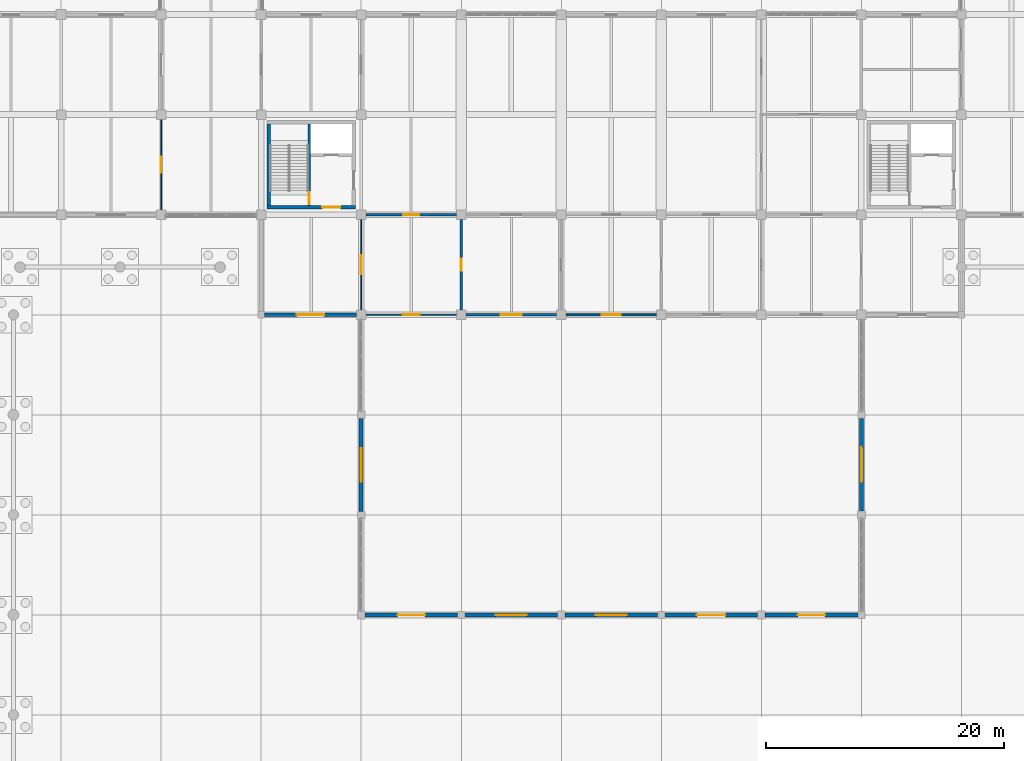
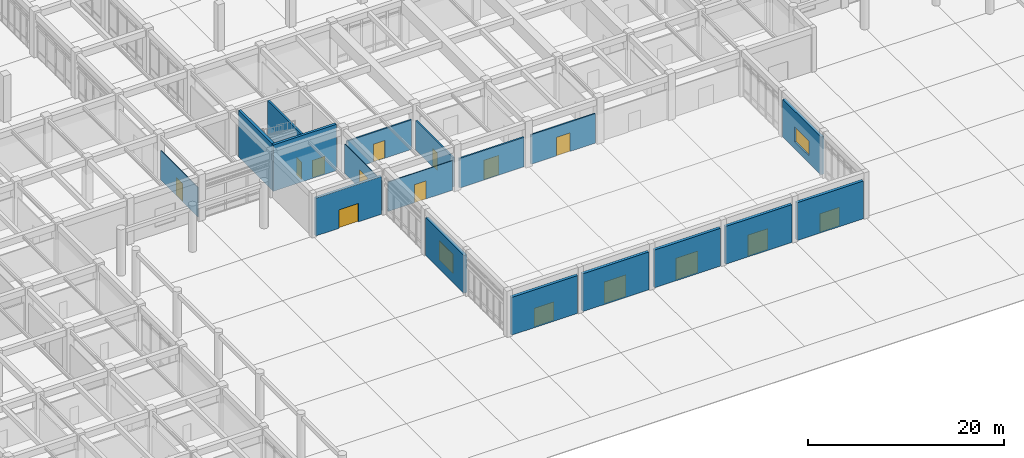
# One storey, part 68 of 91: 18 walls, 15 doors, 2 windows, 17 openings.
"""IFC4 building model written with IfcOpenShell, lengths in metres."""

from ifc_helpers import new_model, si_unit, direction, frame, frame_2d, origin, place, context, subcontext, project, spatial, rectangle, extrude, material, layer, layer_set, type_object, element, fill, save


model = new_model("IFC4")

# Units and contexts
model_context = context("Model", 3, precision=1e-05, world=origin(), true_north=direction((0.0, 1.0)))
body_context = subcontext(model_context, "Body", "Model", "MODEL_VIEW")
ifc_project = project(units=[si_unit("LENGTHUNIT", "METRE"), si_unit("AREAUNIT", "SQUARE_METRE"), si_unit("VOLUMEUNIT", "CUBIC_METRE"), si_unit("PLANEANGLEUNIT", "RADIAN"), si_unit("MASSUNIT", "GRAM", prefix="KILO")], contexts=[model_context])

# Site, building, storey
site_placement = place(None, origin())
site = spatial("IfcSite", under=ifc_project, at=site_placement, CompositionType="ELEMENT")
building_placement = place(site_placement, origin())
building = spatial("IfcBuilding", under=site, at=building_placement, Name="Porcellanite Civic Hall", CompositionType="ELEMENT")
storey_placement = place(building_placement, origin())
storey = spatial("IfcBuildingStorey", under=building, at=storey_placement, Name="L00", CompositionType="ELEMENT", Elevation=0.0)

# Wall, opening, door
ifc_material_1 = material(Name="Concrete N40 (40 MPa)", Category="concrete")
ifc_layer_1 = layer(ifc_material_1, 0.239990234375)
ifc_layer_set_1 = layer_set([ifc_layer_1], Name="Concrete N40 (40 MPa)")
wall_type_1 = type_object("IfcWallType", Name="CW-SH240", PredefinedType="SHEAR", material=ifc_layer_set_1)
wall_1_placement = place(storey_placement, frame((62.840087890625, 51.179931640625, 0.0), z_axis=(0.0, 0.0, 1.0), x_axis=(0.0, 1.0, 0.0)))
wall_1 = element("IfcWall", 1, at=wall_1_placement, inside=storey, type_object=wall_type_1, Name="Core divider C5 L00", PredefinedType="SHEAR", context=body_context, shape_type="SweptSolid", body=[
    extrude(rectangle(XDim=6.840087890625, YDim=0.239990234375, at=frame_2d((3.419921875, 0.0))), origin(), (0.0, 0.0, 1.0), 5.760009765625),
])
opening_1_placement = place(wall_1_placement, frame((0.1201171875, 0.0, 0.0)))
opening_1 = element("IfcOpeningElement", 2, at=opening_1_placement, cuts=wall_1, Name="Opening FD-C5-L00-ST", PredefinedType="OPENING", context=body_context, shape_type="SweptSolid", body=[
    extrude(rectangle(XDim=1.0, YDim=2.14990234375, at=frame_2d((0.5, 1.074951171875))), frame((0.0, 0.1201171875, 0.0), z_axis=(0.0, -1.0, 0.0), x_axis=(1.0, 0.0, 0.0)), (0.0, 0.0, 1.0), 0.239990234375),
])
ifc_material_2 = material(Name="Fire-rated solid-core hardwood timber", Category="wood")
door_type_1 = type_object("IfcDoorType", Name="DR-FD100", OperationType="NOTDEFINED", PredefinedType="DOOR", material=ifc_material_2)
door_1_placement = place(opening_1_placement, origin())
door_1 = element("IfcDoor", 3, at=door_1_placement, inside=storey, type_object=door_type_1, Name="Fire stair door FD-C5-L00-ST", OperationType="SINGLE_SWING_RIGHT", OverallHeight=2.14990234375, OverallWidth=1.0, PredefinedType="DOOR", context=body_context, shape_type="SweptSolid", body=[
    extrude(rectangle(XDim=1.0, YDim=2.14990234375, at=frame_2d((0.5, 1.074951171875))), frame((0.0, 0.02490234375, 0.0), z_axis=(0.0, -1.0, 0.0), x_axis=(1.0, 0.0, 0.0)), (0.0, 0.0, 1.0), 0.050048828125),
])
fill(opening_1, door_1)

ifc_material_3 = material(Name="Concrete N40 (40 MPa)", Category="concrete")
ifc_layer_2 = layer(ifc_material_3, 0.300048828125)
ifc_layer_set_2 = layer_set([ifc_layer_2], Name="Concrete N40 (40 MPa)")
wall_type_2 = type_object("IfcWallType", Name="CW-SH300", PredefinedType="SHEAR", material=ifc_layer_set_2)
wall_2_placement = place(storey_placement, frame((66.719970703125, 51.030029296875, 0.0), z_axis=(0.0, 0.0, 1.0), x_axis=(-1.0, 0.0, 0.0)))
wall_2 = element("IfcWall", 4, at=wall_2_placement, inside=storey, type_object=wall_type_2, Name="Core wall C5 L00 S", PredefinedType="SHEAR", context=body_context, shape_type="SweptSolid", body=[
    extrude(rectangle(XDim=7.43994140625, YDim=0.300048828125, at=frame_2d((3.719970703125, 0.0))), origin(), (0.0, 0.0, 1.0), 5.760009765625),
])
opening_2_placement = place(wall_2_placement, frame((1.280029296875, 0.0, 0.0)))
opening_2 = element("IfcOpeningElement", 5, at=opening_2_placement, cuts=wall_2, Name="Opening FD-C5-L00-LS", PredefinedType="OPENING", context=body_context, shape_type="SweptSolid", body=[
    extrude(rectangle(XDim=1.5, YDim=2.14990234375, at=frame_2d((0.75, 1.074951171875))), frame((0.0, 0.14990234375, 0.0), z_axis=(0.0, -1.0, 0.0), x_axis=(1.0, 0.0, 0.0)), (0.0, 0.0, 1.0), 0.300048828125),
])
ifc_material_4 = material(Name="Fire-rated steel and Georgian wired glass", Category="steel")
door_type_2 = type_object("IfcDoorType", Name="DR-FD150", OperationType="DOUBLE_DOOR_SINGLE_SWING", PredefinedType="DOOR", material=ifc_material_4)
door_2_placement = place(opening_2_placement, origin())
door_2 = element("IfcDoor", 6, at=door_2_placement, inside=storey, type_object=door_type_2, Name="Fire lobby south door FD-C5-L00-LS", OperationType="DOUBLE_DOOR_SINGLE_SWING", OverallHeight=2.14990234375, OverallWidth=1.5, PredefinedType="DOOR", context=body_context, shape_type="SweptSolid", body=[
    extrude(rectangle(XDim=1.5, YDim=2.14990234375, at=frame_2d((0.75, 1.074951171875))), frame((0.0, 0.02490234375, 0.0), z_axis=(0.0, -1.0, 0.0), x_axis=(1.0, 0.0, 0.0)), (0.0, 0.0, 1.0), 0.050048828125),
])
fill(opening_2, door_2)

# Wall
wall_3_placement = place(storey_placement, frame((59.429931640625, 51.179931640625, 0.0), z_axis=(0.0, 0.0, 1.0), x_axis=(0.0, 1.0, 0.0)))
element("IfcWall", 7, at=wall_3_placement, inside=storey, type_object=wall_type_2, Name="Core wall C5 L00 W", PredefinedType="SHEAR", context=body_context, shape_type="SweptSolid", body=[
    extrude(rectangle(XDim=6.840087890625, YDim=0.300048828125, at=frame_2d((3.419921875, 0.0))), origin(), (0.0, 0.0, 1.0), 5.760009765625),
])

# Wall, opening, door
ifc_material_5 = material(Name="Precast concrete N40 (40 MPa)", Category="concrete")
ifc_layer_3 = layer(ifc_material_5, 0.280029296875)
ifc_layer_set_3 = layer_set([ifc_layer_3], Name="Precast concrete N40 (40 MPa)")
wall_type_3 = type_object("IfcWallType", Name="EW-CLO280", PredefinedType="SOLIDWALL", material=ifc_layer_set_3)
wall_4_placement = place(storey_placement, frame((66.799072265625, 42.0, 0.0), z_axis=(0.0, 0.0, 1.0), x_axis=(-1.0, 0.0, 0.0)))
wall_4 = element("IfcWall", 8, at=wall_4_placement, inside=storey, type_object=wall_type_3, Name="Exterior wall L00 S 8-6", PredefinedType="SOLIDWALL", context=body_context, shape_type="SweptSolid", body=[
    extrude(rectangle(XDim=7.72314453125, YDim=0.280029296875, at=frame_2d((3.861572265625, 0.0))), origin(), (0.0, 0.0, 1.0), 4.699951171875),
])
opening_3_placement = place(wall_4_placement, frame((2.7119140625, 0.0, 0.0)))
opening_3 = element("IfcOpeningElement", 9, at=opening_3_placement, cuts=wall_4, Name="Opening ED-06", PredefinedType="OPENING", context=body_context, shape_type="SweptSolid", body=[
    extrude(rectangle(XDim=2.300048828125, YDim=2.300048828125, at=frame_2d((1.14990234375, 1.14990234375))), frame((0.0, 0.14013671875, 0.0), z_axis=(0.0, -1.0, 0.0), x_axis=(1.0, 0.0, 0.0)), (0.0, 0.0, 1.0), 0.280029296875),
])
ifc_material_6 = material(Name="Anodised aluminium and laminated safety glass", Category="aluminium")
door_type_3 = type_object("IfcDoorType", Name="DR-EXIT210", OperationType="DOUBLE_DOOR_SINGLE_SWING", PredefinedType="DOOR", material=ifc_material_6)
door_3_placement = place(opening_3_placement, origin())
door_3 = element("IfcDoor", 10, at=door_3_placement, inside=storey, type_object=door_type_3, Name="Pedestrian final exit door ED-06", OperationType="DOUBLE_DOOR_SINGLE_SWING", OverallHeight=2.300048828125, OverallWidth=2.300048828125, PredefinedType="DOOR", context=body_context, shape_type="SweptSolid", body=[
    extrude(rectangle(XDim=2.300048828125, YDim=2.300048828125, at=frame_2d((1.14990234375, 1.14990234375))), frame((0.0, 0.02490234375, 0.0), z_axis=(0.0, -1.0, 0.0), x_axis=(1.0, 0.0, 0.0)), (0.0, 0.0, 1.0), 0.050048828125),
])
fill(opening_3, door_3)

ifc_material_7 = material(Name="Precast concrete N40 (40 MPa)", Category="concrete")
ifc_layer_4 = layer(ifc_material_7, 0.340087890625)
ifc_layer_set_4 = layer_set([ifc_layer_4], Name="Precast concrete N40 (40 MPa)")
wall_type_4 = type_object("IfcWallType", Name="EW-HALL340", PredefinedType="SOLIDWALL", material=ifc_layer_set_4)
wall_5_placement = place(storey_placement, frame((75.299072265625, 16.800048828125, 0.0), z_axis=(0.0, 0.0, 1.0), x_axis=(-1.0, 0.0, 0.0)))
wall_5 = element("IfcWall", 11, at=wall_5_placement, inside=storey, type_object=wall_type_4, Name="Exterior wall L00 S 9-3", PredefinedType="SOLIDWALL", context=body_context, shape_type="SweptSolid", body=[
    extrude(rectangle(XDim=7.773193359375, YDim=0.340087890625, at=frame_2d((3.88671875, 0.0))), origin(), (0.0, 0.0, 1.0), 4.699951171875),
])
opening_4_placement = place(wall_5_placement, frame((2.736083984375, 0.0, 0.0)))
opening_4 = element("IfcOpeningElement", 12, at=opening_4_placement, cuts=wall_5, Name="Opening ED-04", PredefinedType="OPENING", context=body_context, shape_type="SweptSolid", body=[
    extrude(rectangle(XDim=2.300048828125, YDim=2.300048828125, at=frame_2d((1.14990234375, 1.14990234375))), frame((0.0, 0.169921875, 0.0), z_axis=(0.0, -1.0, 0.0), x_axis=(1.0, 0.0, 0.0)), (0.0, 0.0, 1.0), 0.340087890625),
])
door_4_placement = place(opening_4_placement, origin())
door_4 = element("IfcDoor", 13, at=door_4_placement, inside=storey, type_object=door_type_3, Name="Pedestrian final exit door ED-04", OperationType="DOUBLE_DOOR_SINGLE_SWING", OverallHeight=2.300048828125, OverallWidth=2.300048828125, PredefinedType="DOOR", context=body_context, shape_type="SweptSolid", body=[
    extrude(rectangle(XDim=2.300048828125, YDim=2.300048828125, at=frame_2d((1.14990234375, 1.14990234375))), frame((0.0, 0.02490234375, 0.0), z_axis=(0.0, -1.0, 0.0), x_axis=(1.0, 0.0, 0.0)), (0.0, 0.0, 1.0), 0.050048828125),
])
fill(opening_4, door_4)

# Wall, opening, window
wall_6_placement = place(storey_placement, frame((67.199951171875, 25.5009765625, 0.0), z_axis=(0.0, 0.0, 1.0), x_axis=(0.0, 1.0, 0.0)))
wall_6 = element("IfcWall", 14, at=wall_6_placement, inside=storey, type_object=wall_type_4, Name="Exterior wall L00 W 9-4", PredefinedType="SOLIDWALL", context=body_context, shape_type="SweptSolid", body=[
    extrude(rectangle(XDim=7.77294921875, YDim=0.340087890625, at=frame_2d((3.886474609375, 0.0))), origin(), (0.0, 0.0, 1.0), 4.699951171875),
])
opening_5_placement = place(wall_6_placement, frame((2.486083984375, 0.0, 0.89990234375)))
opening_5 = element("IfcOpeningElement", 15, at=opening_5_placement, cuts=wall_6, Name="Opening W22", PredefinedType="OPENING", context=body_context, shape_type="SweptSolid", body=[
    extrude(rectangle(XDim=2.800048828125, YDim=2.39990234375, at=frame_2d((1.39990234375, 1.199951171875))), frame((0.0, 0.169921875, 0.0), z_axis=(0.0, -1.0, 0.0), x_axis=(1.0, 0.0, 0.0)), (0.0, 0.0, 1.0), 0.340087890625),
])
ifc_material_8 = material(Name="Cyclone laminated low-E glazing in anodised aluminium frame", Category="aluminium")
window_type_1 = type_object("IfcWindowType", Name="WN-22", PartitioningType="TRIPLE_PANEL_VERTICAL", PredefinedType="WINDOW", material=ifc_material_8)
window_1_placement = place(opening_5_placement, origin())
window_1 = element("IfcWindow", 16, at=window_1_placement, inside=storey, type_object=window_type_1, Name="Window W22 L00 W 9-4", OverallHeight=2.39990234375, OverallWidth=2.800048828125, PartitioningType="SINGLE_PANEL", PredefinedType="WINDOW", context=body_context, shape_type="SweptSolid", body=[
    extrude(rectangle(XDim=2.800048828125, YDim=2.39990234375, at=frame_2d((1.39990234375, 1.199951171875))), frame((0.0, 0.030029296875, 0.0), z_axis=(0.0, -1.0, 0.0), x_axis=(1.0, 0.0, 0.0)), (0.0, 0.0, 1.0), 0.06005859375),
])
fill(opening_5, window_1)

# Wall, opening, door
wall_7_placement = place(storey_placement, frame((83.674072265625, 16.800048828125, 0.0), z_axis=(0.0, 0.0, 1.0), x_axis=(-1.0, 0.0, 0.0)))
wall_7 = element("IfcWall", 17, at=wall_7_placement, inside=storey, type_object=wall_type_4, Name="Exterior wall L00 S 10-3", PredefinedType="SOLIDWALL", context=body_context, shape_type="SweptSolid", body=[
    extrude(rectangle(XDim=7.773193359375, YDim=0.340087890625, at=frame_2d((3.88671875, 0.0))), origin(), (0.0, 0.0, 1.0), 4.699951171875),
])
opening_6_placement = place(wall_7_placement, frame((2.5869140625, 0.0, 0.0)))
opening_6 = element("IfcOpeningElement", 18, at=opening_6_placement, cuts=wall_7, Name="Opening ED-01", PredefinedType="OPENING", context=body_context, shape_type="SweptSolid", body=[
    extrude(rectangle(XDim=2.60009765625, YDim=2.699951171875, at=frame_2d((1.300048828125, 1.35009765625))), frame((0.0, 0.169921875, 0.0), z_axis=(0.0, -1.0, 0.0), x_axis=(1.0, 0.0, 0.0)), (0.0, 0.0, 1.0), 0.340087890625),
])
ifc_material_9 = material(Name="Anodised aluminium and laminated safety glass", Category="aluminium")
door_type_4 = type_object("IfcDoorType", Name="DR-PORT240", OperationType="DOUBLE_DOOR_SINGLE_SWING", PredefinedType="DOOR", material=ifc_material_9)
door_5_placement = place(opening_6_placement, origin())
door_5 = element("IfcDoor", 19, at=door_5_placement, inside=storey, type_object=door_type_4, Name="Pedestrian final exit door ED-01", OperationType="DOUBLE_DOOR_SINGLE_SWING", OverallHeight=2.699951171875, OverallWidth=2.60009765625, PredefinedType="DOOR", context=body_context, shape_type="SweptSolid", body=[
    extrude(rectangle(XDim=2.60009765625, YDim=2.699951171875, at=frame_2d((1.300048828125, 1.35009765625))), frame((0.0, 0.02490234375, 0.0), z_axis=(0.0, -1.0, 0.0), x_axis=(1.0, 0.0, 0.0)), (0.0, 0.0, 1.0), 0.050048828125),
])
fill(opening_6, door_5)

wall_8_placement = place(storey_placement, frame((92.09912109375, 16.800048828125, 0.0), z_axis=(0.0, 0.0, 1.0), x_axis=(-1.0, 0.0, 0.0)))
wall_8 = element("IfcWall", 20, at=wall_8_placement, inside=storey, type_object=wall_type_4, Name="Exterior wall L00 S 11-3", PredefinedType="SOLIDWALL", context=body_context, shape_type="SweptSolid", body=[
    extrude(rectangle(XDim=7.773193359375, YDim=0.340087890625, at=frame_2d((3.88671875, 0.0))), origin(), (0.0, 0.0, 1.0), 4.699951171875),
])
opening_7_placement = place(wall_8_placement, frame((2.5869140625, 0.0, 0.0)))
opening_7 = element("IfcOpeningElement", 21, at=opening_7_placement, cuts=wall_8, Name="Opening ED-02", PredefinedType="OPENING", context=body_context, shape_type="SweptSolid", body=[
    extrude(rectangle(XDim=2.60009765625, YDim=2.699951171875, at=frame_2d((1.300048828125, 1.35009765625))), frame((0.0, 0.169921875, 0.0), z_axis=(0.0, -1.0, 0.0), x_axis=(1.0, 0.0, 0.0)), (0.0, 0.0, 1.0), 0.340087890625),
])
door_6_placement = place(opening_7_placement, origin())
door_6 = element("IfcDoor", 22, at=door_6_placement, inside=storey, type_object=door_type_4, Name="Pedestrian final exit door ED-02", OperationType="DOUBLE_DOOR_SINGLE_SWING", OverallHeight=2.699951171875, OverallWidth=2.60009765625, PredefinedType="DOOR", context=body_context, shape_type="SweptSolid", body=[
    extrude(rectangle(XDim=2.60009765625, YDim=2.699951171875, at=frame_2d((1.300048828125, 1.35009765625))), frame((0.0, 0.02490234375, 0.0), z_axis=(0.0, -1.0, 0.0), x_axis=(1.0, 0.0, 0.0)), (0.0, 0.0, 1.0), 0.050048828125),
])
fill(opening_7, door_6)

wall_9_placement = place(storey_placement, frame((100.47412109375, 16.800048828125, 0.0), z_axis=(0.0, 0.0, 1.0), x_axis=(-1.0, 0.0, 0.0)))
wall_9 = element("IfcWall", 23, at=wall_9_placement, inside=storey, type_object=wall_type_4, Name="Exterior wall L00 S 12-3", PredefinedType="SOLIDWALL", context=body_context, shape_type="SweptSolid", body=[
    extrude(rectangle(XDim=7.773193359375, YDim=0.340087890625, at=frame_2d((3.88671875, 0.0))), origin(), (0.0, 0.0, 1.0), 4.699951171875),
])
opening_8_placement = place(wall_9_placement, frame((2.68603515625, 0.0, 0.0)))
opening_8 = element("IfcOpeningElement", 24, at=opening_8_placement, cuts=wall_9, Name="Opening ED-03", PredefinedType="OPENING", context=body_context, shape_type="SweptSolid", body=[
    extrude(rectangle(XDim=2.39990234375, YDim=2.60009765625, at=frame_2d((1.199951171875, 1.300048828125))), frame((0.0, 0.169921875, 0.0), z_axis=(0.0, -1.0, 0.0), x_axis=(1.0, 0.0, 0.0)), (0.0, 0.0, 1.0), 0.340087890625),
])
ifc_material_10 = material(Name="Anodised aluminium and laminated safety glass", Category="aluminium")
door_type_5 = type_object("IfcDoorType", Name="DR-PORT220", OperationType="DOUBLE_DOOR_SINGLE_SWING", PredefinedType="DOOR", material=ifc_material_10)
door_7_placement = place(opening_8_placement, origin())
door_7 = element("IfcDoor", 25, at=door_7_placement, inside=storey, type_object=door_type_5, Name="Pedestrian final exit door ED-03", OperationType="DOUBLE_DOOR_SINGLE_SWING", OverallHeight=2.60009765625, OverallWidth=2.39990234375, PredefinedType="DOOR", context=body_context, shape_type="SweptSolid", body=[
    extrude(rectangle(XDim=2.39990234375, YDim=2.60009765625, at=frame_2d((1.199951171875, 1.300048828125))), frame((0.0, 0.02490234375, 0.0), z_axis=(0.0, -1.0, 0.0), x_axis=(1.0, 0.0, 0.0)), (0.0, 0.0, 1.0), 0.050048828125),
])
fill(opening_8, door_7)

wall_10_placement = place(storey_placement, frame((108.89892578125, 16.800048828125, 0.0), z_axis=(0.0, 0.0, 1.0), x_axis=(-1.0, 0.0, 0.0)))
wall_10 = element("IfcWall", 26, at=wall_10_placement, inside=storey, type_object=wall_type_4, Name="Exterior wall L00 S 13-3", PredefinedType="SOLIDWALL", context=body_context, shape_type="SweptSolid", body=[
    extrude(rectangle(XDim=7.77294921875, YDim=0.340087890625, at=frame_2d((3.886474609375, 0.0))), origin(), (0.0, 0.0, 1.0), 4.699951171875),
])
opening_9_placement = place(wall_10_placement, frame((2.736083984375, 0.0, 0.0)))
opening_9 = element("IfcOpeningElement", 27, at=opening_9_placement, cuts=wall_10, Name="Opening ED-05", PredefinedType="OPENING", context=body_context, shape_type="SweptSolid", body=[
    extrude(rectangle(XDim=2.300048828125, YDim=2.300048828125, at=frame_2d((1.14990234375, 1.14990234375))), frame((0.0, 0.169921875, 0.0), z_axis=(0.0, -1.0, 0.0), x_axis=(1.0, 0.0, 0.0)), (0.0, 0.0, 1.0), 0.340087890625),
])
door_8_placement = place(opening_9_placement, origin())
door_8 = element("IfcDoor", 28, at=door_8_placement, inside=storey, type_object=door_type_3, Name="Pedestrian final exit door ED-05", OperationType="DOUBLE_DOOR_SINGLE_SWING", OverallHeight=2.300048828125, OverallWidth=2.300048828125, PredefinedType="DOOR", context=body_context, shape_type="SweptSolid", body=[
    extrude(rectangle(XDim=2.300048828125, YDim=2.300048828125, at=frame_2d((1.14990234375, 1.14990234375))), frame((0.0, 0.02490234375, 0.0), z_axis=(0.0, -1.0, 0.0), x_axis=(1.0, 0.0, 0.0)), (0.0, 0.0, 1.0), 0.050048828125),
])
fill(opening_9, door_8)

# Wall, opening, window
wall_11_placement = place(storey_placement, frame((109.199951171875, 33.299072265625, 0.0), z_axis=(0.0, 0.0, 1.0), x_axis=(0.0, -1.0, 0.0)))
wall_11 = element("IfcWall", 29, at=wall_11_placement, inside=storey, type_object=wall_type_4, Name="Exterior wall L00 E 13-4", PredefinedType="SOLIDWALL", context=body_context, shape_type="SweptSolid", body=[
    extrude(rectangle(XDim=7.773193359375, YDim=0.340087890625, at=frame_2d((3.88671875, 0.0))), origin(), (0.0, 0.0, 1.0), 4.699951171875),
])
opening_10_placement = place(wall_11_placement, frame((2.43603515625, 0.0, 0.89990234375)))
opening_10 = element("IfcOpeningElement", 30, at=opening_10_placement, cuts=wall_11, Name="Opening W29", PredefinedType="OPENING", context=body_context, shape_type="SweptSolid", body=[
    extrude(rectangle(XDim=2.89990234375, YDim=1.85009765625, at=frame_2d((1.449951171875, 0.925048828125))), frame((0.0, 0.169921875, 0.0), z_axis=(0.0, -1.0, 0.0), x_axis=(1.0, 0.0, 0.0)), (0.0, 0.0, 1.0), 0.340087890625),
])
ifc_material_11 = material(Name="Cyclone laminated low-E glazing in anodised aluminium frame", Category="aluminium")
window_type_2 = type_object("IfcWindowType", Name="WN-29", PartitioningType="TRIPLE_PANEL_VERTICAL", PredefinedType="WINDOW", material=ifc_material_11)
window_2_placement = place(opening_10_placement, origin())
window_2 = element("IfcWindow", 31, at=window_2_placement, inside=storey, type_object=window_type_2, Name="Window W29 L00 E 13-4", OverallHeight=1.85009765625, OverallWidth=2.89990234375, PartitioningType="SINGLE_PANEL", PredefinedType="WINDOW", context=body_context, shape_type="SweptSolid", body=[
    extrude(rectangle(XDim=2.89990234375, YDim=1.85009765625, at=frame_2d((1.449951171875, 0.925048828125))), frame((0.0, 0.030029296875, 0.0), z_axis=(0.0, -1.0, 0.0), x_axis=(1.0, 0.0, 0.0)), (0.0, 0.0, 1.0), 0.06005859375),
])
fill(opening_10, window_2)

# Wall, opening, door
ifc_material_12 = material(Name="Insulated acoustic plasterboard on light-gauge steel studs", Category="steel")
ifc_layer_5 = layer(ifc_material_12, 0.087890625)
ifc_layer_set_5 = layer_set([ifc_layer_5], Name="Insulated acoustic plasterboard on light-gauge steel studs")
wall_type_5 = type_object("IfcWallType", Name="IW-PT088", PredefinedType="PARTITIONING", material=ifc_layer_set_5)
wall_12_placement = place(storey_placement, frame((67.199951171875, 42.402099609375, 0.0), z_axis=(0.0, 0.0, 1.0), x_axis=(0.0, 1.0, 0.0)))
wall_12 = element("IfcWall", 32, at=wall_12_placement, inside=storey, type_object=wall_type_5, Name="Partition L00 V 8-6", PredefinedType="PARTITIONING", context=body_context, shape_type="SweptSolid", body=[
    extrude(rectangle(XDim=7.595947265625, YDim=0.087890625, at=frame_2d((3.7978515625, 0.0))), origin(), (0.0, 0.0, 1.0), 3.659912109375),
])
opening_11_placement = place(wall_12_placement, frame((2.998046875, 0.0, 0.0)))
opening_11 = element("IfcOpeningElement", 33, at=opening_11_placement, cuts=wall_12, Name="Opening D-L00-079", PredefinedType="OPENING", context=body_context, shape_type="SweptSolid", body=[
    extrude(rectangle(XDim=1.60009765625, YDim=2.300048828125, at=frame_2d((0.800048828125, 1.14990234375))), frame((0.0, 0.0439453125, 0.0), z_axis=(0.0, -1.0, 0.0), x_axis=(1.0, 0.0, 0.0)), (0.0, 0.0, 1.0), 0.087890625),
])
ifc_material_13 = material(Name="Acoustic spotted-gum timber and safety glass", Category="wood")
door_type_6 = type_object("IfcDoorType", Name="DR-AS160", OperationType="DOUBLE_DOOR_SINGLE_SWING", PredefinedType="DOOR", material=ifc_material_13)
door_9_placement = place(opening_11_placement, origin())
door_9 = element("IfcDoor", 34, at=door_9_placement, inside=storey, type_object=door_type_6, Name="Interior door D-L00-079", OperationType="DOUBLE_DOOR_SINGLE_SWING", OverallHeight=2.300048828125, OverallWidth=1.60009765625, PredefinedType="DOOR", context=body_context, shape_type="SweptSolid", body=[
    extrude(rectangle(XDim=1.60009765625, YDim=2.300048828125, at=frame_2d((0.800048828125, 1.14990234375))), frame((0.0, 0.02490234375, 0.0), z_axis=(0.0, -1.0, 0.0), x_axis=(1.0, 0.0, 0.0)), (0.0, 0.0, 1.0), 0.050048828125),
])
fill(opening_11, door_9)

ifc_material_14 = material(Name="Insulated acoustic plasterboard on light-gauge steel studs", Category="steel")
ifc_layer_6 = layer(ifc_material_14, 0.094970703125)
ifc_layer_set_6 = layer_set([ifc_layer_6], Name="Insulated acoustic plasterboard on light-gauge steel studs")
wall_type_6 = type_object("IfcWallType", Name="IW-PT095", PredefinedType="PARTITIONING", material=ifc_layer_set_6)
wall_13_placement = place(storey_placement, frame((50.39990234375, 50.802001953125, 0.0), z_axis=(0.0, 0.0, 1.0), x_axis=(0.0, 1.0, 0.0)))
wall_13 = element("IfcWall", 35, at=wall_13_placement, inside=storey, type_object=wall_type_6, Name="Partition L00 V 6-7", PredefinedType="PARTITIONING", context=body_context, shape_type="SweptSolid", body=[
    extrude(rectangle(XDim=7.595947265625, YDim=0.094970703125, at=frame_2d((3.7978515625, 0.0))), origin(), (0.0, 0.0, 1.0), 3.659912109375),
])
opening_12_placement = place(wall_13_placement, frame((3.123046875, 0.0, 0.0)))
opening_12 = element("IfcOpeningElement", 36, at=opening_12_placement, cuts=wall_13, Name="Opening D-L00-076", PredefinedType="OPENING", context=body_context, shape_type="SweptSolid", body=[
    extrude(rectangle(XDim=1.35009765625, YDim=2.199951171875, at=frame_2d((0.675048828125, 1.10009765625))), frame((0.0, 0.04736328125, 0.0), z_axis=(0.0, -1.0, 0.0), x_axis=(1.0, 0.0, 0.0)), (0.0, 0.0, 1.0), 0.094970703125),
])
ifc_material_15 = material(Name="Acoustic spotted-gum timber and safety glass", Category="wood")
door_type_7 = type_object("IfcDoorType", Name="DR-AS135", OperationType="DOUBLE_DOOR_SINGLE_SWING", PredefinedType="DOOR", material=ifc_material_15)
door_10_placement = place(opening_12_placement, origin())
door_10 = element("IfcDoor", 37, at=door_10_placement, inside=storey, type_object=door_type_7, Name="Interior door D-L00-076", OperationType="DOUBLE_DOOR_SINGLE_SWING", OverallHeight=2.199951171875, OverallWidth=1.35009765625, PredefinedType="DOOR", context=body_context, shape_type="SweptSolid", body=[
    extrude(rectangle(XDim=1.35009765625, YDim=2.199951171875, at=frame_2d((0.675048828125, 1.10009765625))), frame((0.0, 0.02490234375, 0.0), z_axis=(0.0, -1.0, 0.0), x_axis=(1.0, 0.0, 0.0)), (0.0, 0.0, 1.0), 0.050048828125),
])
fill(opening_12, door_10)

ifc_material_16 = material(Name="Insulated acoustic plasterboard on light-gauge steel studs", Category="steel")
ifc_layer_7 = layer(ifc_material_16, 0.10498046875)
ifc_layer_set_7 = layer_set([ifc_layer_7], Name="Insulated acoustic plasterboard on light-gauge steel studs")
wall_type_7 = type_object("IfcWallType", Name="IW-PT105", PredefinedType="PARTITIONING", material=ifc_layer_set_7)
wall_14_placement = place(storey_placement, frame((67.60205078125, 42.0, 0.0), z_axis=(0.0, 0.0, 1.0), x_axis=(1.0, 0.0, 0.0)))
wall_14 = element("IfcWall", 38, at=wall_14_placement, inside=storey, type_object=wall_type_7, Name="Partition L00 H 9-5", PredefinedType="PARTITIONING", context=body_context, shape_type="SweptSolid", body=[
    extrude(rectangle(XDim=7.595947265625, YDim=0.10498046875, at=frame_2d((3.7978515625, 0.0))), origin(), (0.0, 0.0, 1.0), 3.659912109375),
])
opening_13_placement = place(wall_14_placement, frame((3.097900390625, 0.0, 0.0)))
opening_13 = element("IfcOpeningElement", 39, at=opening_13_placement, cuts=wall_14, Name="Opening D-L00-047", PredefinedType="OPENING", context=body_context, shape_type="SweptSolid", body=[
    extrude(rectangle(XDim=1.39990234375, YDim=2.25, at=frame_2d((0.699951171875, 1.125))), frame((0.0, 0.052490234375, 0.0), z_axis=(0.0, -1.0, 0.0), x_axis=(1.0, 0.0, 0.0)), (0.0, 0.0, 1.0), 0.10498046875),
])
ifc_material_17 = material(Name="Acoustic spotted-gum timber and safety glass", Category="wood")
door_type_8 = type_object("IfcDoorType", Name="DR-AS140", OperationType="DOUBLE_DOOR_SINGLE_SWING", PredefinedType="DOOR", material=ifc_material_17)
door_11_placement = place(opening_13_placement, origin())
door_11 = element("IfcDoor", 40, at=door_11_placement, inside=storey, type_object=door_type_8, Name="Interior door D-L00-047", OperationType="DOUBLE_DOOR_SINGLE_SWING", OverallHeight=2.25, OverallWidth=1.39990234375, PredefinedType="DOOR", context=body_context, shape_type="SweptSolid", body=[
    extrude(rectangle(XDim=1.39990234375, YDim=2.25, at=frame_2d((0.699951171875, 1.125))), frame((0.0, 0.02490234375, 0.0), z_axis=(0.0, -1.0, 0.0), x_axis=(1.0, 0.0, 0.0)), (0.0, 0.0, 1.0), 0.050048828125),
])
fill(opening_13, door_11)

ifc_material_18 = material(Name="Insulated acoustic plasterboard on light-gauge steel studs", Category="steel")
ifc_layer_8 = layer(ifc_material_18, 0.1650390625)
ifc_layer_set_8 = layer_set([ifc_layer_8], Name="Insulated acoustic plasterboard on light-gauge steel studs")
wall_type_8 = type_object("IfcWallType", Name="IW-PT165", PredefinedType="PARTITIONING", material=ifc_layer_set_8)
wall_15_placement = place(storey_placement, frame((84.402099609375, 42.0, 0.0), z_axis=(0.0, 0.0, 1.0), x_axis=(1.0, 0.0, 0.0)))
wall_15 = element("IfcWall", 41, at=wall_15_placement, inside=storey, type_object=wall_type_8, Name="Partition L00 H 11-5", PredefinedType="PARTITIONING", context=body_context, shape_type="SweptSolid", body=[
    extrude(rectangle(XDim=7.595947265625, YDim=0.1650390625, at=frame_2d((3.7978515625, 0.0))), origin(), (0.0, 0.0, 1.0), 3.659912109375),
])
opening_14_placement = place(wall_15_placement, frame((2.998046875, 0.0, 0.0)))
opening_14 = element("IfcOpeningElement", 42, at=opening_14_placement, cuts=wall_15, Name="Opening D-L00-051", PredefinedType="OPENING", context=body_context, shape_type="SweptSolid", body=[
    extrude(rectangle(XDim=1.60009765625, YDim=2.300048828125, at=frame_2d((0.800048828125, 1.14990234375))), frame((0.0, 0.08251953125, 0.0), z_axis=(0.0, -1.0, 0.0), x_axis=(1.0, 0.0, 0.0)), (0.0, 0.0, 1.0), 0.1650390625),
])
door_12_placement = place(opening_14_placement, origin())
door_12 = element("IfcDoor", 43, at=door_12_placement, inside=storey, type_object=door_type_6, Name="Interior door D-L00-051", OperationType="DOUBLE_DOOR_SINGLE_SWING", OverallHeight=2.300048828125, OverallWidth=1.60009765625, PredefinedType="DOOR", context=body_context, shape_type="SweptSolid", body=[
    extrude(rectangle(XDim=1.60009765625, YDim=2.300048828125, at=frame_2d((0.800048828125, 1.14990234375))), frame((0.0, 0.02490234375, 0.0), z_axis=(0.0, -1.0, 0.0), x_axis=(1.0, 0.0, 0.0)), (0.0, 0.0, 1.0), 0.050048828125),
])
fill(opening_14, door_12)

ifc_material_19 = material(Name="Insulated acoustic plasterboard on light-gauge steel studs", Category="steel")
ifc_layer_9 = layer(ifc_material_19, 0.175048828125)
ifc_layer_set_9 = layer_set([ifc_layer_9], Name="Insulated acoustic plasterboard on light-gauge steel studs")
wall_type_9 = type_object("IfcWallType", Name="IW-PT175", PredefinedType="PARTITIONING", material=ifc_layer_set_9)
wall_16_placement = place(storey_placement, frame((67.60205078125, 50.39990234375, 0.0), z_axis=(0.0, 0.0, 1.0), x_axis=(1.0, 0.0, 0.0)))
wall_16 = element("IfcWall", 44, at=wall_16_placement, inside=storey, type_object=wall_type_9, Name="Partition L00 H 9-6", PredefinedType="PARTITIONING", context=body_context, shape_type="SweptSolid", body=[
    extrude(rectangle(XDim=7.595947265625, YDim=0.175048828125, at=frame_2d((3.7978515625, 0.0))), origin(), (0.0, 0.0, 1.0), 3.659912109375),
])
opening_15_placement = place(wall_16_placement, frame((3.123046875, 0.0, 0.0)))
opening_15 = element("IfcOpeningElement", 45, at=opening_15_placement, cuts=wall_16, Name="Opening D-L00-048", PredefinedType="OPENING", context=body_context, shape_type="SweptSolid", body=[
    extrude(rectangle(XDim=1.35009765625, YDim=2.199951171875, at=frame_2d((0.675048828125, 1.10009765625))), frame((0.0, 0.08740234375, 0.0), z_axis=(0.0, -1.0, 0.0), x_axis=(1.0, 0.0, 0.0)), (0.0, 0.0, 1.0), 0.175048828125),
])
door_13_placement = place(opening_15_placement, origin())
door_13 = element("IfcDoor", 46, at=door_13_placement, inside=storey, type_object=door_type_7, Name="Interior door D-L00-048", OperationType="DOUBLE_DOOR_SINGLE_SWING", OverallHeight=2.199951171875, OverallWidth=1.35009765625, PredefinedType="DOOR", context=body_context, shape_type="SweptSolid", body=[
    extrude(rectangle(XDim=1.35009765625, YDim=2.199951171875, at=frame_2d((0.675048828125, 1.10009765625))), frame((0.0, 0.02490234375, 0.0), z_axis=(0.0, -1.0, 0.0), x_axis=(1.0, 0.0, 0.0)), (0.0, 0.0, 1.0), 0.050048828125),
])
fill(opening_15, door_13)

wall_17_placement = place(storey_placement, frame((75.60009765625, 42.402099609375, 0.0), z_axis=(0.0, 0.0, 1.0), x_axis=(0.0, 1.0, 0.0)))
wall_17 = element("IfcWall", 47, at=wall_17_placement, inside=storey, type_object=wall_type_9, Name="Partition L00 V 9-6", PredefinedType="PARTITIONING", context=body_context, shape_type="SweptSolid", body=[
    extrude(rectangle(XDim=7.595947265625, YDim=0.175048828125, at=frame_2d((3.7978515625, 0.0))), origin(), (0.0, 0.0, 1.0), 3.659912109375),
])
opening_16_placement = place(wall_17_placement, frame((3.30810546875, 0.0, 0.0)))
opening_16 = element("IfcOpeningElement", 48, at=opening_16_placement, cuts=wall_17, Name="Opening D-L00-135", PredefinedType="OPENING", context=body_context, shape_type="SweptSolid", body=[
    extrude(rectangle(XDim=0.97998046875, YDim=2.179931640625, at=frame_2d((0.489990234375, 1.08984375))), frame((0.0, 0.08740234375, 0.0), z_axis=(0.0, -1.0, 0.0), x_axis=(1.0, 0.0, 0.0)), (0.0, 0.0, 1.0), 0.175048828125),
])
ifc_material_20 = material(Name="Solid-core spotted-gum timber", Category="wood")
door_type_9 = type_object("IfcDoorType", Name="DR-RM098", OperationType="NOTDEFINED", PredefinedType="DOOR", material=ifc_material_20)
door_14_placement = place(opening_16_placement, origin())
door_14 = element("IfcDoor", 49, at=door_14_placement, inside=storey, type_object=door_type_9, Name="Interior door D-L00-135", OperationType="SINGLE_SWING_LEFT", OverallHeight=2.179931640625, OverallWidth=0.97998046875, PredefinedType="DOOR", context=body_context, shape_type="SweptSolid", body=[
    extrude(rectangle(XDim=0.97998046875, YDim=2.179931640625, at=frame_2d((0.489990234375, 1.08984375))), frame((0.0, 0.02490234375, 0.0), z_axis=(0.0, -1.0, 0.0), x_axis=(1.0, 0.0, 0.0)), (0.0, 0.0, 1.0), 0.050048828125),
])
fill(opening_16, door_14)

ifc_material_21 = material(Name="Insulated acoustic plasterboard on light-gauge steel studs", Category="steel")
ifc_layer_10 = layer(ifc_material_21, 0.195068359375)
ifc_layer_set_10 = layer_set([ifc_layer_10], Name="Insulated acoustic plasterboard on light-gauge steel studs")
wall_type_10 = type_object("IfcWallType", Name="IW-PT195", PredefinedType="PARTITIONING", material=ifc_layer_set_10)
wall_18_placement = place(storey_placement, frame((76.001953125, 42.0, 0.0), z_axis=(0.0, 0.0, 1.0), x_axis=(1.0, 0.0, 0.0)))
wall_18 = element("IfcWall", 50, at=wall_18_placement, inside=storey, type_object=wall_type_10, Name="Partition L00 H 10-5", PredefinedType="PARTITIONING", context=body_context, shape_type="SweptSolid", body=[
    extrude(rectangle(XDim=7.595947265625, YDim=0.195068359375, at=frame_2d((3.7978515625, 0.0))), origin(), (0.0, 0.0, 1.0), 3.659912109375),
])
opening_17_placement = place(wall_18_placement, frame((2.89794921875, 0.0, 0.0)))
opening_17 = element("IfcOpeningElement", 51, at=opening_17_placement, cuts=wall_18, Name="Opening D-L00-049", PredefinedType="OPENING", context=body_context, shape_type="SweptSolid", body=[
    extrude(rectangle(XDim=1.800048828125, YDim=2.39990234375, at=frame_2d((0.89990234375, 1.199951171875))), frame((0.0, 0.09765625, 0.0), z_axis=(0.0, -1.0, 0.0), x_axis=(1.0, 0.0, 0.0)), (0.0, 0.0, 1.0), 0.195068359375),
])
ifc_material_22 = material(Name="Acoustic spotted-gum timber and safety glass", Category="wood")
door_type_10 = type_object("IfcDoorType", Name="DR-AS180", OperationType="DOUBLE_DOOR_SINGLE_SWING", PredefinedType="DOOR", material=ifc_material_22)
door_15_placement = place(opening_17_placement, origin())
door_15 = element("IfcDoor", 52, at=door_15_placement, inside=storey, type_object=door_type_10, Name="Interior door D-L00-049", OperationType="DOUBLE_DOOR_SINGLE_SWING", OverallHeight=2.39990234375, OverallWidth=1.800048828125, PredefinedType="DOOR", context=body_context, shape_type="SweptSolid", body=[
    extrude(rectangle(XDim=1.800048828125, YDim=2.39990234375, at=frame_2d((0.89990234375, 1.199951171875))), frame((0.0, 0.02490234375, 0.0), z_axis=(0.0, -1.0, 0.0), x_axis=(1.0, 0.0, 0.0)), (0.0, 0.0, 1.0), 0.050048828125),
])
fill(opening_17, door_15)

save(model, "model.ifc")
